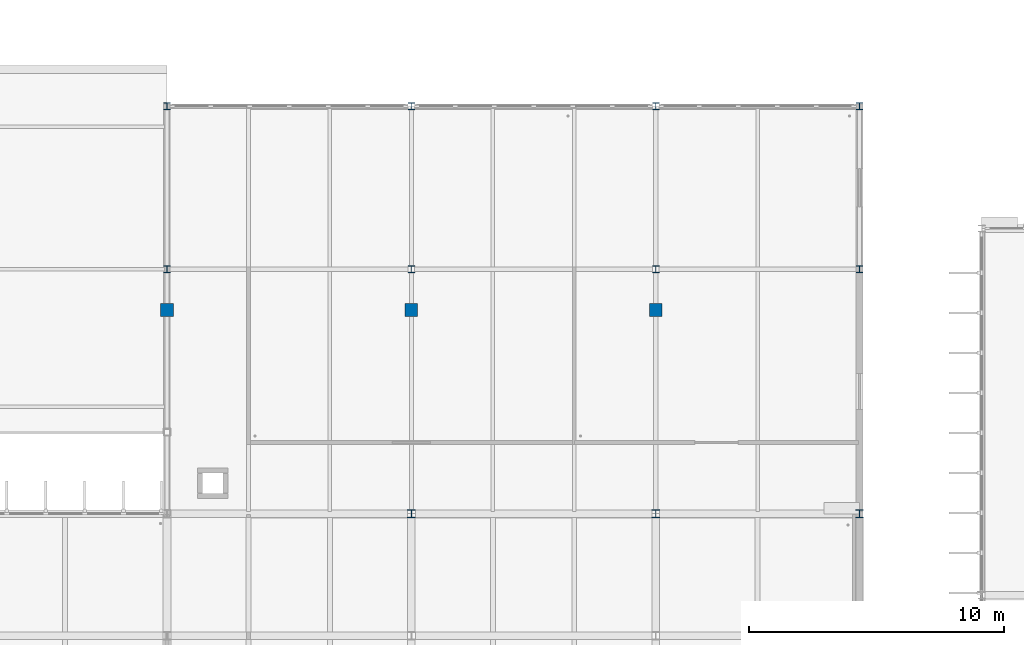
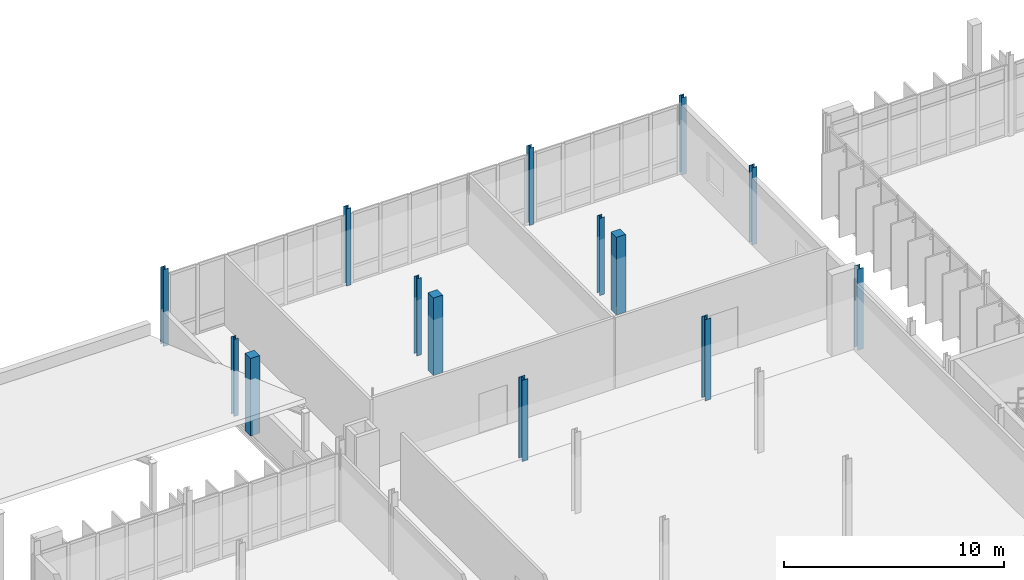
# One storey, part 9 of 107: 14 columns.
"""IFC4 building model written with IfcOpenShell, lengths in metres."""

from ifc_helpers import new_model, si_unit, direction, frame, origin, origin_2d, place, context, subcontext, project, spatial, rectangle, i_section, extrude, material, material_profile, profile_set, type_object, element, save


model = new_model("IFC4")

# Units and contexts
model_context = context("Model", 3, precision=1e-05, world=origin(), true_north=direction((0.0, 1.0)))
body_context = subcontext(model_context, "Body", "Model", "MODEL_VIEW")
ifc_project = project(units=[si_unit("LENGTHUNIT", "METRE"), si_unit("AREAUNIT", "SQUARE_METRE"), si_unit("VOLUMEUNIT", "CUBIC_METRE"), si_unit("PLANEANGLEUNIT", "RADIAN"), si_unit("MASSUNIT", "GRAM", prefix="KILO")], contexts=[model_context])

# Site, building, storey
site_placement = place(None, origin())
site = spatial("IfcSite", under=ifc_project, at=site_placement, CompositionType="ELEMENT")
building_placement = place(site_placement, origin())
building = spatial("IfcBuilding", under=site, at=building_placement, Name="Dunescarp Central Library", CompositionType="ELEMENT")
storey_placement = place(building_placement, frame((0.0, 0.0, 5.10009765625)))
storey = spatial("IfcBuildingStorey", under=building, at=storey_placement, Name="L01", CompositionType="ELEMENT", Elevation=5.10009765625)

# Columns
ifc_material_1 = material(Name="Concrete C40/50", Category="concrete")
ifc_material_profile_1 = material_profile(ifc_material_1, rectangle(XDim=0.5, YDim=0.5, at=origin_2d()), Name="RC 500x500")
ifc_profile_set_1 = profile_set([ifc_material_profile_1], Name="Concrete C40/50")
column_type_1 = type_object("IfcColumnType", Name="STR-COL-RC500", PredefinedType="COLUMN", material=ifc_profile_set_1)
for number, where, z_axis, x_axis, name in (
    (1, (97.60009765625, 41.60009765625, 0.0), (0.0, 0.0, 1.0), (1.0, 0.0, 0.0), "L01 column TERP-976-416"),
    (2, (107.199951171875, 41.60009765625, 0.0), (0.0, 0.0, 1.0), (1.0, 0.0, 0.0), "L01 column TERP-1072-416"),
    (3, (116.800048828125, 41.60009765625, 0.0), (0.0, 0.0, 1.0), (1.0, 0.0, 0.0), "L01 column TERP-1168-416"),
):
    element("IfcColumn", number, at=place(storey_placement, frame(where, z_axis=z_axis, x_axis=x_axis)), inside=storey, type_object=column_type_1, Name=name, PredefinedType="COLUMN", context=body_context, shape_type="SweptSolid", body=[
        extrude(rectangle(XDim=0.5, YDim=0.5, at=origin_2d()), origin(), (0.0, 0.0, 1.0), 4.309814453125),
    ])
ifc_material_2 = material(Name="Steel S355JR", Category="steel")
ifc_material_profile_2 = material_profile(ifc_material_2, i_section(OverallWidth=0.25634765625, OverallDepth=0.26025390625, WebThickness=0.01025390625, FlangeThickness=0.017333984375, at=origin_2d()), Name="UC 254x254x89")
ifc_profile_set_2 = profile_set([ifc_material_profile_2], Name="Steel S355JR")
column_type_2 = type_object("IfcColumnType", Name="STR-COL-UC254X89", PredefinedType="COLUMN", material=ifc_profile_set_2)
for number, where, z_axis, x_axis, name in (
    (4, (97.60009765625, 43.199951171875, 0.0), (0.0, 0.0, 1.0), (1.0, 0.0, 0.0), "L01 column V3D-976-432"),
    (5, (97.60009765625, 49.60009765625, 0.0), (0.0, 0.0, 1.0), (1.0, 0.0, 0.0), "L01 column V3D-976-496"),
    (6, (107.199951171875, 43.199951171875, 0.0), (0.0, 0.0, 1.0), (1.0, 0.0, 0.0), "L01 column V3D-1072-432"),
    (7, (107.199951171875, 49.60009765625, 0.0), (0.0, 0.0, 1.0), (1.0, 0.0, 0.0), "L01 column V3D-1072-496"),
    (8, (116.800048828125, 43.199951171875, 0.0), (0.0, 0.0, 1.0), (1.0, 0.0, 0.0), "L01 column V3D-1168-432"),
    (9, (116.800048828125, 49.60009765625, 0.0), (0.0, 0.0, 1.0), (1.0, 0.0, 0.0), "L01 column V3D-1168-496"),
    (10, (124.800048828125, 43.199951171875, 0.0), (0.0, 0.0, 1.0), (1.0, 0.0, 0.0), "L01 column V3D-1248-432"),
    (11, (124.800048828125, 49.60009765625, 0.0), (0.0, 0.0, 1.0), (1.0, 0.0, 0.0), "L01 column V3D-1248-496"),
):
    element("IfcColumn", number, at=place(storey_placement, frame(where, z_axis=z_axis, x_axis=x_axis)), inside=storey, type_object=column_type_2, Name=name, PredefinedType="COLUMN", context=body_context, shape_type="SweptSolid", body=[
        extrude(i_section(OverallWidth=0.25634765625, OverallDepth=0.26025390625, WebThickness=0.01025390625, FlangeThickness=0.017333984375, at=origin_2d()), origin(), (0.0, 0.0, 1.0), 4.27978515625),
    ])
ifc_material_profile_3 = material_profile(ifc_material_2, i_section(OverallWidth=0.30908203125, OverallDepth=0.320556640625, WebThickness=0.013916015625, FlangeThickness=0.021728515625, at=origin_2d()), Name="UC 305x305x137")
ifc_profile_set_3 = profile_set([ifc_material_profile_3], Name="Steel S355JR")
column_type_3 = type_object("IfcColumnType", Name="STR-COL-UC305X137", PredefinedType="COLUMN", material=ifc_profile_set_3)
for number, where, z_axis, x_axis, name in (
    (12, (107.199951171875, 33.60009765625, 0.0), (0.0, 0.0, 1.0), (1.0, 0.0, 0.0), "L01 column V3-1072-336"),
    (13, (116.800048828125, 33.60009765625, 0.0), (0.0, 0.0, 1.0), (1.0, 0.0, 0.0), "L01 column V3-1168-336"),
    (14, (124.800048828125, 33.60009765625, 0.0), (0.0, 0.0, 1.0), (1.0, 0.0, 0.0), "L01 column V3-1248-336"),
):
    element("IfcColumn", number, at=place(storey_placement, frame(where, z_axis=z_axis, x_axis=x_axis)), inside=storey, type_object=column_type_3, Name=name, PredefinedType="COLUMN", context=body_context, shape_type="SweptSolid", body=[
        extrude(i_section(OverallWidth=0.30908203125, OverallDepth=0.320556640625, WebThickness=0.013916015625, FlangeThickness=0.021728515625, at=origin_2d()), origin(), (0.0, 0.0, 1.0), 4.5),
    ])

save(model, "model.ifc")
